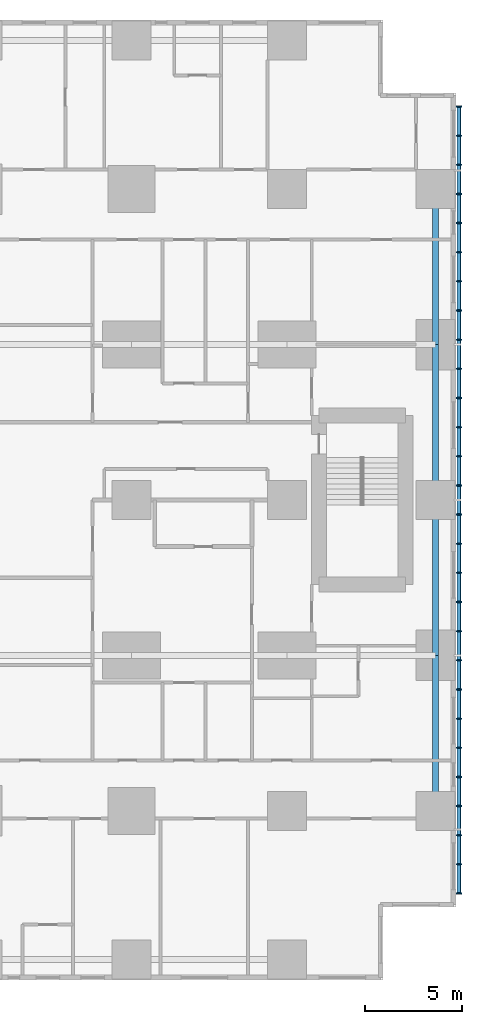
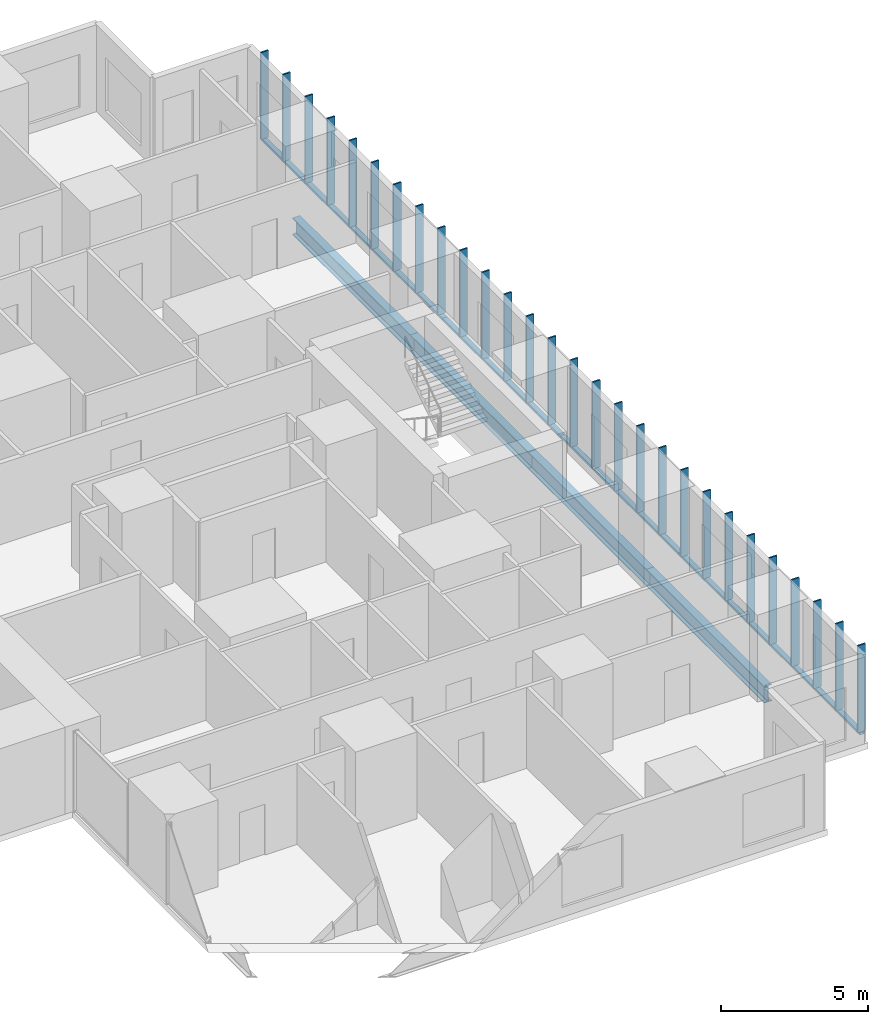
# One storey, part 6 of 20: 32 members, 4 beams.
"""IFC4 building model written with IfcOpenShell, lengths in metres."""

import ifcopenshell
import ifcopenshell.guid

model = None  # the IFC model being written
_history = None  # IfcOwnerHistory: only IFC2X3 demands one
_inside = {}  # id of a spatial element -> (the spatial element, [elements in it])
_under = {}  # id of a project, library or spatial element -> (it, [spatial elements below it])
_declared = {}  # id of a project -> (the project, [libraries it declares])
_typed = {}  # id of a type object -> (the type object, [elements of that type])
_made_of = {}  # id of a material, layer set ... -> (it, [elements and type objects made of it])


def new_model(schema):
    """Start an empty IFC model of exactly this schema.

    Asked for "IFC4X3", IfcOpenShell would pick the latest addendum, in which some entities
    have other attributes; the version numbers below select the first issue.
    IFC2X3 requires an IfcOwnerHistory on every rooted entity: one is made here for all.
    """
    global model, _history
    if schema == "IFC4X3":
        model = ifcopenshell.file(schema_version=(4, 3, 0, 0))
    else:
        model = ifcopenshell.file(schema=schema)
    _inside.clear()
    _under.clear()
    _declared.clear()
    _typed.clear()
    _made_of.clear()
    _history = None
    if model.schema == "IFC2X3":
        org = make("IfcOrganization", Name="unknown")
        user = make(
            "IfcPersonAndOrganization",
            ThePerson=make("IfcPerson", FamilyName="unknown"),
            TheOrganization=org,
        )
        app = make(
            "IfcApplication",
            ApplicationDeveloper=org,
            Version="unknown",
            ApplicationFullName="unknown",
            ApplicationIdentifier="unknown",
        )
        _history = make(
            "IfcOwnerHistory",
            OwningUser=user,
            OwningApplication=app,
            ChangeAction="ADDED",
            CreationDate=0,
        )
    return model


def make(cls, **values):
    """One entity of the class cls with the attributes given. An attribute that is None is left unset."""
    return model.create_entity(
        cls, **{name: value for name, value in values.items() if value is not None}
    )


def rooted(cls, **values):
    """An entity with a GlobalId (a new one), such as an element, a storey or a relation."""
    return make(cls, GlobalId=ifcopenshell.guid.new(), OwnerHistory=_history, **values)


def si_unit(unit_type, name, prefix=None):
    """IfcSIUnit, for example si_unit("LENGTHUNIT", "METRE", prefix="MILLI")."""
    return make("IfcSIUnit", UnitType=unit_type, Prefix=prefix, Name=name)


def assignment(units):
    """IfcUnitAssignment: the units of a project."""
    return None if units is None else make("IfcUnitAssignment", Units=units)


def point(xyz):
    """IfcCartesianPoint."""
    return None if xyz is None else make("IfcCartesianPoint", Coordinates=xyz)


def direction(xyz):
    """IfcDirection."""
    return None if xyz is None else make("IfcDirection", DirectionRatios=xyz)


def frame(location, z_axis=None, x_axis=None):
    """IfcAxis2Placement3D, a coordinate frame: its origin and axes. An axis left out is left unset."""
    return make(
        "IfcAxis2Placement3D",
        Location=point(location),
        Axis=direction(z_axis),
        RefDirection=direction(x_axis),
    )


def frame_2d(location, x_axis=None):
    """IfcAxis2Placement2D, a coordinate frame in the plane: its origin and x axis."""
    return make(
        "IfcAxis2Placement2D", Location=point(location), RefDirection=direction(x_axis)
    )


def origin():
    """The frame at (0, 0, 0) with its axes left unset."""
    return frame((0.0, 0.0, 0.0))


def origin_2d():
    """The frame at (0, 0) in the plane with its x axis left unset."""
    return frame_2d((0.0, 0.0))


def place(relative_to, where):
    """IfcLocalPlacement: puts the frame where relative to a parent placement (None: the world)."""
    return make(
        "IfcLocalPlacement", PlacementRelTo=relative_to, RelativePlacement=where
    )


def context(
    kind, dimensions, precision=None, world=None, true_north=None, identifier=None
):
    """IfcGeometricRepresentationContext, for example the 3D "Model" context."""
    return make(
        "IfcGeometricRepresentationContext",
        ContextIdentifier=identifier,
        ContextType=kind,
        CoordinateSpaceDimension=dimensions,
        Precision=precision,
        WorldCoordinateSystem=world,
        TrueNorth=true_north,
    )


def subcontext(parent, identifier, kind, view, scale=None):
    """IfcGeometricRepresentationSubContext, for example "Body" below "Model"."""
    return make(
        "IfcGeometricRepresentationSubContext",
        ContextIdentifier=identifier,
        ContextType=kind,
        ParentContext=parent,
        TargetScale=scale,
        TargetView=view,
    )


def project(units=None, contexts=None):
    """IfcProject with its units and contexts."""
    return rooted(
        "IfcProject",
        Name="project",
        RepresentationContexts=contexts,
        UnitsInContext=assignment(units),
    )


def spatial(cls, under=None, at=None, **own):
    """A site, building, storey or space (cls), placed at a placement, below another one or the project."""
    s = rooted(cls, ObjectPlacement=at, **own)
    if under is not None:
        _under.setdefault(under.id(), (under, []))[1].append(s)
    return s


def profile(cls, at=None, kind="AREA", **sizes):
    """A parametric profile (cls). Its sizes go by their IFC names, for example OverallWidth=200.0."""
    return make(cls, ProfileType=kind, Position=at, **sizes)


def rectangle(**sizes):
    """IfcRectangleProfileDef."""
    return profile("IfcRectangleProfileDef", **sizes)


def hollow_rectangle(**sizes):
    """IfcRectangleHollowProfileDef."""
    return profile("IfcRectangleHollowProfileDef", **sizes)


def i_section(**sizes):
    """IfcIShapeProfileDef."""
    return profile("IfcIShapeProfileDef", **sizes)


def extrude(swept, where, along, depth):
    """IfcExtrudedAreaSolid: the profile swept, set in the frame where, extruded along a direction by depth."""
    return make(
        "IfcExtrudedAreaSolid",
        SweptArea=swept,
        Position=where,
        ExtrudedDirection=direction(along),
        Depth=depth,
    )


def shape(context_of_items, identifier, shape_type, items):
    """IfcShapeRepresentation: the items that make up one representation, for example the "Body"."""
    return make(
        "IfcShapeRepresentation",
        ContextOfItems=context_of_items,
        RepresentationIdentifier=identifier,
        RepresentationType=shape_type,
        Items=items,
    )


def material(Name=None, Category=None):
    """IfcMaterial."""
    return make("IfcMaterial", Name=Name, Category=Category)


def material_profile(
    of_material, cross_section, Name=None, Category=None, Priority=None
):
    """IfcMaterialProfile: a cross section and its material."""
    return make(
        "IfcMaterialProfile",
        Name=Name,
        Material=of_material,
        Profile=cross_section,
        Priority=Priority,
        Category=Category,
    )


def profile_set(profiles, Name=None, composite=None):
    """IfcMaterialProfileSet."""
    return make(
        "IfcMaterialProfileSet",
        Name=Name,
        MaterialProfiles=profiles,
        CompositeProfile=composite,
    )


def made_of(thing, what):
    """Note that an element or type object is made of a material, layer set ...; save() writes the relation."""
    if what is not None:
        _made_of.setdefault(what.id(), (what, []))[1].append(thing)
    return thing


def type_object(cls, material=None, **own):
    """A type object (cls), such as IfcWallType, which elements share."""
    return made_of(rooted(cls, **own), material)


def element(
    cls,
    number,
    at=None,
    inside=None,
    cuts=None,
    type_object=None,
    material=None,
    context=None,
    identifier="Body",
    shape_type=None,
    held_by="IfcProductDefinitionShape",
    body=None,
    shapes=None,
    **own,
):
    """One element of the class cls, such as IfcWall. Its Tag is "e" and its number.

    at: its placement. inside: the storey or other place that contains it. cuts: it is an
    opening in that element (IfcRelVoidsElement). A single representation is given by context,
    identifier, shape_type and body (its items); several are given by shapes. held_by: the class
    of the entity that holds the representations. save() writes the other relations.
    """
    e = rooted(cls, Tag="e%d" % number, ObjectPlacement=at, **own)
    if body is not None:
        shapes = [shape(context, identifier, shape_type, body)]
    if shapes is not None:
        e.Representation = make(held_by, Representations=shapes)
    if inside is not None:
        _inside.setdefault(inside.id(), (inside, []))[1].append(e)
    if cuts is not None:
        rooted(
            "IfcRelVoidsElement", RelatingBuildingElement=cuts, RelatedOpeningElement=e
        )
    if type_object is not None:
        _typed.setdefault(type_object.id(), (type_object, []))[1].append(e)
    return made_of(e, material)


def aggregate(whole, parts):
    """IfcRelAggregates: a whole, such as a stair, and the parts it consists of."""
    return rooted("IfcRelAggregates", RelatingObject=whole, RelatedObjects=parts)


def save(model, path):
    """Write the relations noted so far, then the file.

    IfcRelAggregates (storeys below a building ...), IfcRelContainedInSpatialStructure (elements
    in a storey), IfcRelDefinesByType, IfcRelAssociatesMaterial and IfcRelDeclares: one each for
    every whole, place, type object, material and project.
    """
    for whole, parts in _under.values():
        aggregate(whole, parts)
    for where, things in _inside.values():
        rooted(
            "IfcRelContainedInSpatialStructure",
            RelatedElements=things,
            RelatingStructure=where,
        )
    for kind, things in _typed.values():
        rooted("IfcRelDefinesByType", RelatedObjects=things, RelatingType=kind)
    for what, things in _made_of.values():
        rooted("IfcRelAssociatesMaterial", RelatedObjects=things, RelatingMaterial=what)
    for by, libraries in _declared.values():
        rooted("IfcRelDeclares", RelatingContext=by, RelatedDefinitions=libraries)
    model.write(path)


model = new_model("IFC4")

# Units and contexts
model_context = context("Model", 3, precision=1e-05, world=origin(), true_north=direction((0.0, 1.0)))
body_context = subcontext(model_context, "Body", "Model", "MODEL_VIEW")
ifc_project = project(units=[si_unit("LENGTHUNIT", "METRE"), si_unit("AREAUNIT", "SQUARE_METRE"), si_unit("VOLUMEUNIT", "CUBIC_METRE"), si_unit("PLANEANGLEUNIT", "RADIAN"), si_unit("MASSUNIT", "GRAM", prefix="KILO")], contexts=[model_context])

# Site, building, storey
site_placement = place(None, origin())
site = spatial("IfcSite", under=ifc_project, at=site_placement, CompositionType="ELEMENT")
building_placement = place(site_placement, origin())
building = spatial("IfcBuilding", under=site, at=building_placement, Name="Cleftline Residences", CompositionType="ELEMENT")
storey_placement = place(building_placement, frame((0.0, 0.0, 110.60009765625)))
storey = spatial("IfcBuildingStorey", under=building, at=storey_placement, Name="L28", CompositionType="ELEMENT", Elevation=110.60009765625)

# Members
ifc_material_1 = material(Name="Steel S355, hot-dip galvanised", Category="steel")
ifc_material_profile_1 = material_profile(ifc_material_1, hollow_rectangle(XDim=0.10009765625, YDim=0.199951171875, WallThickness=0.008056640625, InnerFilletRadius=0.008056640625, OuterFilletRadius=0.011962890625, at=origin_2d()))
ifc_profile_set_1 = profile_set([ifc_material_profile_1], Name="Steel S355, hot-dip galvanised")
member_type_1 = type_object("IfcMemberType", Name="BAGUETTE CARRIER RHS 200X100X8", PredefinedType="USERDEFINED", material=ifc_profile_set_1)
member_1_placement = place(storey_placement, frame((66.85009765625, 3.699951171875, -0.050048828125), z_axis=(0.0, 1.0, 0.0), x_axis=(0.0, 0.0, 1.0)))
element("IfcMember", 1, at=member_1_placement, inside=storey, type_object=member_type_1, Name="Baguette carrier", ObjectType="BAGUETTE CARRIER", PredefinedType="USERDEFINED", context=body_context, shape_type="SweptSolid", body=[
    extrude(hollow_rectangle(XDim=0.10009765625, YDim=0.199951171875, WallThickness=0.008056640625, InnerFilletRadius=0.008056640625, OuterFilletRadius=0.011962890625, at=origin_2d()), origin(), (0.0, 0.0, 1.0), 12.300048828125),
])
for number, where, z_axis, x_axis, name in (
    (2, (66.85009765625, 16.0, -0.050048828125), (0.0, 1.0, 0.0), (0.0, 0.0, 1.0), "Baguette carrier"),
    (3, (66.85009765625, 24.0, -0.050048828125), (0.0, 1.0, 0.0), (0.0, 0.0, 1.0), "Baguette carrier"),
):
    element("IfcMember", number, at=place(storey_placement, frame(where, z_axis=z_axis, x_axis=x_axis)), inside=storey, type_object=member_type_1, Name=name, ObjectType="BAGUETTE CARRIER", PredefinedType="USERDEFINED", context=body_context, shape_type="SweptSolid", body=[
        extrude(hollow_rectangle(XDim=0.10009765625, YDim=0.199951171875, WallThickness=0.008056640625, InnerFilletRadius=0.008056640625, OuterFilletRadius=0.011962890625, at=origin_2d()), origin(), (0.0, 0.0, 1.0), 8.0),
    ])
member_2_placement = place(storey_placement, frame((66.85009765625, 32.0, -0.050048828125), z_axis=(0.0, 1.0, 0.0), x_axis=(0.0, 0.0, 1.0)))
element("IfcMember", 4, at=member_2_placement, inside=storey, type_object=member_type_1, Name="Baguette carrier", ObjectType="BAGUETTE CARRIER", PredefinedType="USERDEFINED", context=body_context, shape_type="SweptSolid", body=[
    extrude(hollow_rectangle(XDim=0.10009765625, YDim=0.199951171875, WallThickness=0.008056640625, InnerFilletRadius=0.008056640625, OuterFilletRadius=0.011962890625, at=origin_2d()), origin(), (0.0, 0.0, 1.0), 12.300048828125),
])

# Beams
ifc_material_2 = material(Name="Steel S355", Category="steel")
ifc_material_profile_2 = material_profile(ifc_material_2, i_section(OverallWidth=0.300048828125, OverallDepth=0.699951171875, WebThickness=0.01708984375, FlangeThickness=0.031982421875, FilletRadius=0.027099609375, at=origin_2d()))
ifc_profile_set_2 = profile_set([ifc_material_profile_2], Name="Steel S355")
beam_type = type_object("IfcBeamType", Name="BEAM HEB 700", PredefinedType="BEAM", material=ifc_profile_set_2)
for number, where, z_axis, x_axis, name in (
    (5, (65.64990234375, 8.0, -0.60009765625), (0.0, 1.0, 0.0), (-1.0, 0.0, 0.0), "Edge beam"),
    (6, (65.64990234375, 16.0, -0.60009765625), (0.0, 1.0, 0.0), (-1.0, 0.0, 0.0), "Edge beam"),
    (7, (65.64990234375, 24.0, -0.60009765625), (0.0, 1.0, 0.0), (-1.0, 0.0, 0.0), "Edge beam"),
    (8, (65.64990234375, 32.0, -0.60009765625), (0.0, 1.0, 0.0), (-1.0, 0.0, 0.0), "Edge beam"),
):
    element("IfcBeam", number, at=place(storey_placement, frame(where, z_axis=z_axis, x_axis=x_axis)), inside=storey, type_object=beam_type, Name=name, PredefinedType="BEAM", context=body_context, shape_type="SweptSolid", body=[
        extrude(i_section(OverallWidth=0.300048828125, OverallDepth=0.699951171875, WebThickness=0.01708984375, FlangeThickness=0.031982421875, FilletRadius=0.027099609375, at=origin_2d()), origin(), (0.0, 0.0, 1.0), 8.0),
    ])

# Members
ifc_material_3 = material(Name="Extruded terracotta", Category="masonry")
ifc_material_profile_3 = material_profile(ifc_material_3, rectangle(XDim=0.06005859375, YDim=0.300048828125, at=origin_2d()))
ifc_profile_set_3 = profile_set([ifc_material_profile_3], Name="Extruded terracotta")
member_type_2 = type_object("IfcMemberType", Name="TERRACOTTA BAGUETTE 60X300", PredefinedType="USERDEFINED", material=ifc_profile_set_3)
for number, where, z_axis, x_axis, name in (
    (9, (66.85009765625, 3.75, 0.0), (0.0, 0.0, 1.0), (0.0, 1.0, 0.0), "Terracotta baguette"),
    (10, (66.85009765625, 5.25, 0.0), (0.0, 0.0, 1.0), (0.0, 1.0, 0.0), "Terracotta baguette"),
    (11, (66.85009765625, 6.75, 0.0), (0.0, 0.0, 1.0), (0.0, 1.0, 0.0), "Terracotta baguette"),
    (12, (66.85009765625, 8.25, 0.0), (0.0, 0.0, 1.0), (0.0, 1.0, 0.0), "Terracotta baguette"),
    (13, (66.85009765625, 9.75, 0.0), (0.0, 0.0, 1.0), (0.0, 1.0, 0.0), "Terracotta baguette"),
    (14, (66.85009765625, 11.25, 0.0), (0.0, 0.0, 1.0), (0.0, 1.0, 0.0), "Terracotta baguette"),
    (15, (66.85009765625, 12.75, 0.0), (0.0, 0.0, 1.0), (0.0, 1.0, 0.0), "Terracotta baguette"),
    (16, (66.85009765625, 14.25, 0.0), (0.0, 0.0, 1.0), (0.0, 1.0, 0.0), "Terracotta baguette"),
    (17, (66.85009765625, 15.75, 0.0), (0.0, 0.0, 1.0), (0.0, 1.0, 0.0), "Terracotta baguette"),
    (18, (66.85009765625, 17.25, 0.0), (0.0, 0.0, 1.0), (0.0, 1.0, 0.0), "Terracotta baguette"),
    (19, (66.85009765625, 18.75, 0.0), (0.0, 0.0, 1.0), (0.0, 1.0, 0.0), "Terracotta baguette"),
    (20, (66.85009765625, 20.25, 0.0), (0.0, 0.0, 1.0), (0.0, 1.0, 0.0), "Terracotta baguette"),
    (21, (66.85009765625, 21.75, 0.0), (0.0, 0.0, 1.0), (0.0, 1.0, 0.0), "Terracotta baguette"),
    (22, (66.85009765625, 23.25, 0.0), (0.0, 0.0, 1.0), (0.0, 1.0, 0.0), "Terracotta baguette"),
    (23, (66.85009765625, 24.75, 0.0), (0.0, 0.0, 1.0), (0.0, 1.0, 0.0), "Terracotta baguette"),
    (24, (66.85009765625, 26.25, 0.0), (0.0, 0.0, 1.0), (0.0, 1.0, 0.0), "Terracotta baguette"),
    (25, (66.85009765625, 27.75, 0.0), (0.0, 0.0, 1.0), (0.0, 1.0, 0.0), "Terracotta baguette"),
    (26, (66.85009765625, 29.25, 0.0), (0.0, 0.0, 1.0), (0.0, 1.0, 0.0), "Terracotta baguette"),
    (27, (66.85009765625, 30.75, 0.0), (0.0, 0.0, 1.0), (0.0, 1.0, 0.0), "Terracotta baguette"),
    (28, (66.85009765625, 32.25, 0.0), (0.0, 0.0, 1.0), (0.0, 1.0, 0.0), "Terracotta baguette"),
    (29, (66.85009765625, 33.75, 0.0), (0.0, 0.0, 1.0), (0.0, 1.0, 0.0), "Terracotta baguette"),
    (30, (66.85009765625, 35.25, 0.0), (0.0, 0.0, 1.0), (0.0, 1.0, 0.0), "Terracotta baguette"),
    (31, (66.85009765625, 36.75, 0.0), (0.0, 0.0, 1.0), (0.0, 1.0, 0.0), "Terracotta baguette"),
    (32, (66.85009765625, 38.25, 0.0), (0.0, 0.0, 1.0), (0.0, 1.0, 0.0), "Terracotta baguette"),
    (33, (66.85009765625, 39.75, 0.0), (0.0, 0.0, 1.0), (0.0, 1.0, 0.0), "Terracotta baguette"),
    (34, (66.85009765625, 41.25, 0.0), (0.0, 0.0, 1.0), (0.0, 1.0, 0.0), "Terracotta baguette"),
    (35, (66.85009765625, 42.75, 0.0), (0.0, 0.0, 1.0), (0.0, 1.0, 0.0), "Terracotta baguette"),
    (36, (66.85009765625, 44.25, 0.0), (0.0, 0.0, 1.0), (0.0, 1.0, 0.0), "Terracotta baguette"),
):
    element("IfcMember", number, at=place(storey_placement, frame(where, z_axis=z_axis, x_axis=x_axis)), inside=storey, type_object=member_type_2, Name=name, ObjectType="BAGUETTE", PredefinedType="USERDEFINED", context=body_context, shape_type="SweptSolid", body=[
        extrude(rectangle(XDim=0.06005859375, YDim=0.300048828125, at=origin_2d()), origin(), (0.0, 0.0, 1.0), 3.599853515625),
    ])

save(model, "model.ifc")
